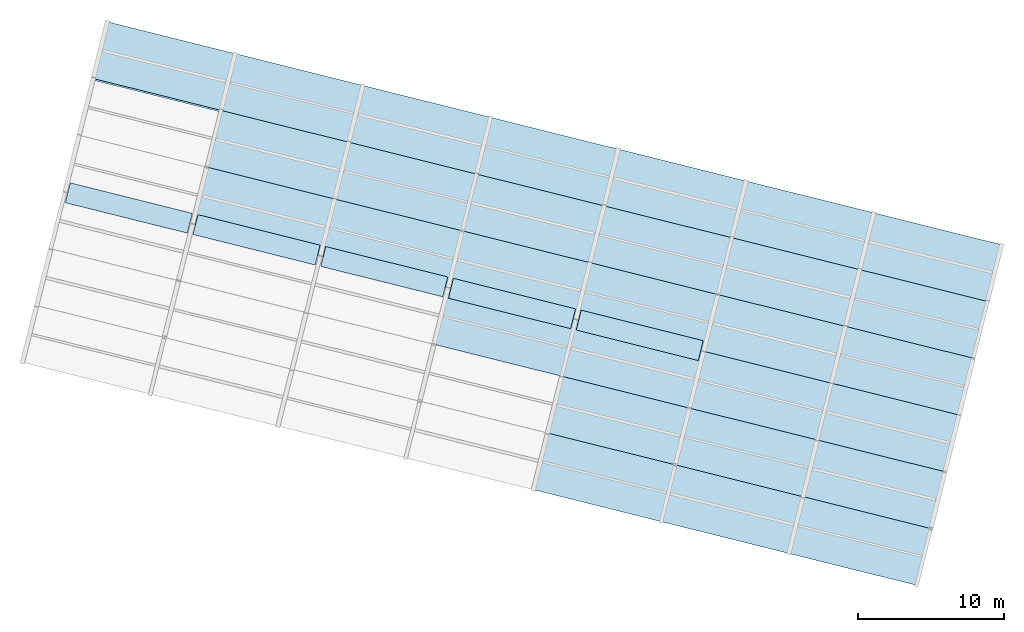
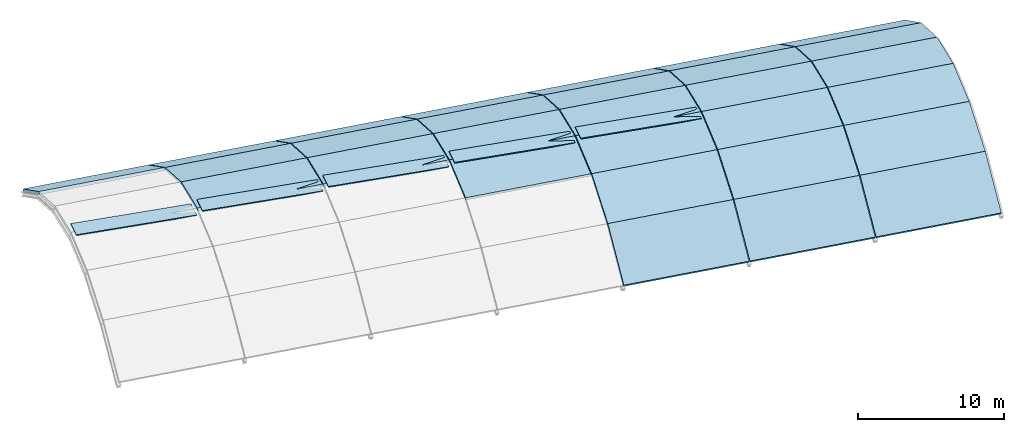
# One storey, part 3 of 3: 29 slabs, 5 roofs.
"""IFC4 building model written with IfcOpenShell, lengths in metres."""

from ifc_helpers import new_model, si_unit, direction, frame, origin, origin_2d, place, context, subcontext, project, spatial, polyline, rectangle, outline, extrude, material, layer, layer_set, type_object, element, save


model = new_model("IFC4")

# Units and contexts
model_context = context("Model", 3, precision=1e-05, world=origin(), true_north=direction((0.0, 1.0)))
body_context = subcontext(model_context, "Body", "Model", "MODEL_VIEW")
ifc_project = project(units=[si_unit("LENGTHUNIT", "METRE"), si_unit("AREAUNIT", "SQUARE_METRE"), si_unit("VOLUMEUNIT", "CUBIC_METRE"), si_unit("PLANEANGLEUNIT", "RADIAN"), si_unit("MASSUNIT", "GRAM", prefix="KILO")], contexts=[model_context])

# Site, building, storey
site_placement = place(None, origin())
site = spatial("IfcSite", under=ifc_project, at=site_placement, CompositionType="ELEMENT")
building_placement = place(site_placement, origin())
building = spatial("IfcBuilding", under=site, at=building_placement, Name="Vireo Bluff Cable Station", CompositionType="ELEMENT")
storey_placement = place(building_placement, frame((0.0, 0.0, 28.800048828125)))
storey = spatial("IfcBuildingStorey", under=building, at=storey_placement, Name="Roof", CompositionType="ELEMENT", Elevation=28.800048828125)

# Slabs
ifc_material = material(Name="Concrete f'c 50 MPa", Category="concrete")
ifc_layer_1 = layer(ifc_material, 0.219970703125, Name="Concrete f'c 50 MPa")
ifc_layer_set_1 = layer_set([ifc_layer_1], Name="Concrete f'c 50 MPa")
slab_type = type_object("IfcSlabType", Name="ROOFSLAB-220-1", PredefinedType="ROOF", material=ifc_layer_set_1)
slab_1_placement = place(storey_placement, frame((58.867431640625, 57.398681640625, -2.126953125), z_axis=(0.100939677652, 0.516472067093, 0.850333925813), x_axis=(0.969805926747, -0.241803233938, 0.031743668706)))
element("IfcSlab", 1, at=slab_1_placement, inside=storey, type_object=slab_type, Name="V1 barrel shell facet 1.6", PredefinedType="ROOF", context=body_context, shape_type="SweptSolid", body=[
    extrude(outline(polyline([(0.0, 0.0), (8.944635527202268, -3.885780586188048e-16), (8.866248880325182, 4.701597592801001), (-0.07838664687708628, 4.701597592801001), (0.0, 0.0)])), origin(), (0.0, 0.0, -1.0), 0.219970703125),
])
slab_2_placement = place(storey_placement, frame((65.664794921875, 47.458984375, 0.13671875), z_axis=(-0.000889435561, 0.126606405837, 0.991952633398), x_axis=(0.969806753183, -0.241801509155, 0.031731556079)))
element("IfcSlab", 2, at=slab_2_placement, inside=storey, type_object=slab_type, Name="V1 barrel shell facet 2.4", PredefinedType="ROOF", context=body_context, shape_type="SweptSolid", body=[
    extrude(outline(polyline([(0.0, 0.0), (8.944627779567814, 2.636779683484747e-16), (8.928740906828127, 4.030525580376811), (-0.015598816903197279, 4.030380172944357), (0.0, 0.0)])), origin(), (0.0, 0.0, -1.0), 0.219970703125),
])
slab_3_placement = place(storey_placement, frame((66.632568359375, 51.340087890625, -0.35791015625), z_axis=(0.055203306571, 0.344402915072, 0.93719753896), x_axis=(0.969809780144, -0.241789699657, 0.031729032089)))
element("IfcSlab", 3, at=slab_3_placement, inside=storey, type_object=slab_type, Name="V1 barrel shell facet 2.5", PredefinedType="ROOF", context=body_context, shape_type="SweptSolid", body=[
    extrude(outline(polyline([(0.0, 0.0), (8.94433972470428, -4.579669976578771e-16), (8.89741821934946, 4.265890200137352), (-0.04720955966334356, 4.265968878507189), (0.0, 0.0)])), origin(), (0.0, 0.0, -1.0), 0.219970703125),
])
slab_4_placement = place(storey_placement, frame((67.60009765625, 55.221435546875, -1.841064453125), z_axis=(0.100955876177, 0.516487555426, 0.850322595346), x_axis=(0.96980793828, -0.241797449721, 0.031726269219)))
element("IfcSlab", 4, at=slab_4_placement, inside=storey, type_object=slab_type, Name="V1 barrel shell facet 2.6", PredefinedType="ROOF", context=body_context, shape_type="SweptSolid", body=[
    extrude(outline(polyline([(0.0, 0.0), (8.944627780009386, -4.163336342344337e-16), (8.866308543442221, 4.7015987150596), (-0.07832698223836052, 4.701726963254099), (0.0, 0.0)])), origin(), (0.0, 0.0, -1.0), 0.219970703125),
])
slab_5_placement = place(storey_placement, frame((74.3974609375, 45.28173828125, 0.42236328125), z_axis=(-0.000881008317, 0.126577557374, 0.991956322523), x_axis=(0.969806766647, -0.241803441832, 0.031716413459)))
element("IfcSlab", 5, at=slab_5_placement, inside=storey, type_object=slab_type, Name="V1 barrel shell facet 3.4", PredefinedType="ROOF", context=body_context, shape_type="SweptSolid", body=[
    extrude(outline(polyline([(0.0, 0.0), (8.94462778061166, 1.457167719820518e-16), (8.928799939829926, 4.0302907110091235), (-0.01559107155159506, 4.030350250325305), (0.0, 0.0)])), origin(), (0.0, 0.0, -1.0), 0.219970703125),
])
slab_6_placement = place(storey_placement, frame((75.365234375, 49.162841796875, -0.072021484375), z_axis=(0.055222114465, 0.344424278161, 0.937188580109), x_axis=(0.969805444458, -0.241807965616, 0.031722352768)))
element("IfcSlab", 6, at=slab_6_placement, inside=storey, type_object=slab_type, Name="V1 barrel shell facet 3.5", PredefinedType="ROOF", context=body_context, shape_type="SweptSolid", body=[
    extrude(outline(polyline([(0.0, 0.0), (8.944391011446644, -1.249000902703301e-16), (8.897345291000606, 4.266110954627542), (-0.047223454205519995, 4.26583149065672), (0.0, 0.0)])), origin(), (0.0, 0.0, -1.0), 0.219970703125),
])
slab_7_placement = place(storey_placement, frame((76.332763671875, 53.0439453125, -1.555419921875), z_axis=(0.100952434045, 0.516457365464, 0.850341340709), x_axis=(0.969812455511, -0.241781384482, 0.031710617379)))
element("IfcSlab", 7, at=slab_7_placement, inside=storey, type_object=slab_type, Name="V1 barrel shell facet 3.6", PredefinedType="ROOF", context=body_context, shape_type="SweptSolid", body=[
    extrude(outline(polyline([(0.0, 0.0), (8.944568749482775, 4.163336342344337e-16), (8.866354929402299, 4.701600470628557), (-0.07827284873879704, 4.701801024915579), (0.0, 0.0)])), origin(), (0.0, 0.0, -1.0), 0.219970703125),
])
slab_8_placement = place(storey_placement, frame((82.162353515625, 39.22314453125, 0.213623046875), z_axis=(-0.060220808184, -0.111368781631, 0.991952846026), x_axis=(0.969812260366, -0.241779421286, 0.03173154718)))
element("IfcSlab", 8, at=slab_8_placement, inside=storey, type_object=slab_type, Name="V1 barrel shell facet 4.3", PredefinedType="ROOF", context=body_context, shape_type="SweptSolid", body=[
    extrude(outline(polyline([(0.0, 0.0), (8.944568748690958, 1.8735013540549517e-16), (8.960451672151416, 4.030379063416773), (0.01581614832167219, 4.030584471612378), (0.0, 0.0)])), origin(), (0.0, 0.0, -1.0), 0.219970703125),
])
slab_9_placement = place(storey_placement, frame((83.130126953125, 43.1044921875, 0.7080078125), z_axis=(-0.000886823043, 0.126609683553, 0.991952217385), x_axis=(0.969805938831, -0.241804946405, 0.031730252171)))
element("IfcSlab", 9, at=slab_9_placement, inside=storey, type_object=slab_type, Name="V1 barrel shell facet 4.4", PredefinedType="ROOF", context=body_context, shape_type="SweptSolid", body=[
    extrude(outline(polyline([(0.0, 0.0), (8.94463552638412, -7.008282842946301e-16), (8.928786456970757, 4.030320581116207), (-0.015604553741728693, 4.030350196332303), (0.0, 0.0)])), origin(), (0.0, 0.0, -1.0), 0.219970703125),
])
slab_10_placement = place(storey_placement, frame((84.097900390625, 46.985595703125, 0.213623046875), z_axis=(0.055203306571, 0.344402915072, 0.93719753896), x_axis=(0.969806150554, -0.241803560843, 0.031734339613)))
element("IfcSlab", 10, at=slab_10_placement, inside=storey, type_object=slab_type, Name="V1 barrel shell facet 4.5", PredefinedType="ROOF", context=body_context, shape_type="SweptSolid", body=[
    extrude(outline(polyline([(0.0, 0.0), (8.944391010091099, 1.3877787807814457e-16), (8.89735303581609, 4.2660261515482745), (-0.04722345692376837, 4.265831487784386), (0.0, 0.0)])), origin(), (0.0, 0.0, -1.0), 0.219970703125),
])
slab_11_placement = place(storey_placement, frame((85.0654296875, 50.86669921875, -1.269775390625), z_axis=(0.10094603748, 0.516478148118, 0.85032947734), x_axis=(0.969810444287, -0.241787169035, 0.031728016685)))
element("IfcSlab", 11, at=slab_11_placement, inside=storey, type_object=slab_type, Name="V1 barrel shell facet 4.6", PredefinedType="ROOF", context=body_context, shape_type="SweptSolid", body=[
    extrude(outline(polyline([(0.0, 0.0), (8.944576494790557, 5.551115123125783e-17), (8.866287517749669, 4.701727594421813), (-0.07834026101362998, 4.701799899654168), (0.0, 0.0)])), origin(), (0.0, 0.0, -1.0), 0.219970703125),
])
slab_12_placement = place(storey_placement, frame((88.959716796875, 29.283447265625, -3.456298828125), z_axis=(-0.15334134841, -0.503397879878, 0.850339347203), x_axis=(0.969810952776, -0.241782046786, 0.031751499617)))
element("IfcSlab", 12, at=slab_12_placement, inside=storey, type_object=slab_type, Name="V1 barrel shell facet 5.1", PredefinedType="ROOF", context=body_context, shape_type="SweptSolid", body=[
    extrude(outline(polyline([(0.0, 0.0), (8.944576495987416, 8.326672684688674e-17), (9.023010893745532, 4.701546548088515), (0.07861213919024312, 4.701795364099379), (0.0, 0.0)])), origin(), (0.0, 0.0, -1.0), 0.219970703125),
])
slab_13_placement = place(storey_placement, frame((89.927490234375, 33.164794921875, -0.984130859375), z_axis=(-0.112966026449, -0.330036571103, 0.937184367455), x_axis=(0.969804477458, -0.241809125931, 0.031743064119)))
element("IfcSlab", 13, at=slab_13_placement, inside=storey, type_object=slab_type, Name="V1 barrel shell facet 5.2", PredefinedType="ROOF", context=body_context, shape_type="SweptSolid", body=[
    extrude(outline(polyline([(0.0, 0.0), (8.944398758364725, -1.1102230246251565e-16), (8.99155113417174, 4.265887657096743), (0.04691560713575901, 4.265834887721574), (0.0, 0.0)])), origin(), (0.0, 0.0, -1.0), 0.219970703125),
])
slab_14_placement = place(storey_placement, frame((90.89501953125, 37.0458984375, 0.499267578125), z_axis=(-0.060226824967, -0.111336498063, 0.991956104751), x_axis=(0.96980601826, -0.241803064769, 0.031742161484)))
element("IfcSlab", 14, at=slab_14_placement, inside=storey, type_object=slab_type, Name="V1 barrel shell facet 5.3", PredefinedType="ROOF", context=body_context, shape_type="SweptSolid", body=[
    extrude(outline(polyline([(0.0, 0.0), (8.944635527191943, -2.3592239273284576e-16), (8.960359113542927, 4.030584835993105), (0.015782620302344896, 4.030349504760234), (0.0, 0.0)])), origin(), (0.0, 0.0, -1.0), 0.219970703125),
])
slab_15_placement = place(storey_placement, frame((91.86279296875, 40.927001953125, 0.99365234375), z_axis=(-0.000909904007, 0.126580725657, 0.991955892148), x_axis=(0.969812328665, -0.241777752023, 0.031742176918)))
element("IfcSlab", 15, at=slab_15_placement, inside=storey, type_object=slab_type, Name="V1 barrel shell facet 5.4", PredefinedType="ROOF", context=body_context, shape_type="SweptSolid", body=[
    extrude(outline(polyline([(0.0, 0.0), (8.944576496333529, 1.734723475976807e-16), (8.928841004714283, 4.030291072597414), (-0.015557748802680963, 4.030585479518686), (0.0, 0.0)])), origin(), (0.0, 0.0, -1.0), 0.219970703125),
])
slab_16_placement = place(storey_placement, frame((92.83056640625, 44.808349609375, 0.499267578125), z_axis=(0.055204151399, 0.344438058548, 0.937184573866), x_axis=(0.969804344886, -0.241809375253, 0.031745215082)))
element("IfcSlab", 16, at=slab_16_placement, inside=storey, type_object=slab_type, Name="V1 barrel shell facet 5.5", PredefinedType="ROOF", context=body_context, shape_type="SweptSolid", body=[
    extrude(outline(polyline([(0.0, 0.0), (8.944398758372817, 2.7755575615628914e-17), (8.897371624067233, 4.265889039613939), (-0.04726390294447423, 4.26583104296439), (0.0, 0.0)])), origin(), (0.0, 0.0, -1.0), 0.219970703125),
])
slab_17_placement = place(storey_placement, frame((93.798095703125, 48.689453125, -0.984130859375), z_axis=(0.100929839081, 0.516462659744, 0.850340807367), x_axis=(0.969806638158, -0.241799593744, 0.031749662191)))
element("IfcSlab", 17, at=slab_17_placement, inside=storey, type_object=slab_type, Name="V1 barrel shell facet 5.6", PredefinedType="ROOF", context=body_context, shape_type="SweptSolid", body=[
    extrude(outline(polyline([(0.0, 0.0), (8.944635526980088, -2.498001805406602e-16), (8.866189846552754, 4.701798144536736), (-0.0783866473233937, 4.70159759237087), (0.0, 0.0)])), origin(), (0.0, 0.0, -1.0), 0.219970703125),
])
slab_18_placement = place(storey_placement, frame((97.6923828125, 27.106201171875, -3.17041015625), z_axis=(-0.153323074838, -0.503391215223, 0.850346587668), x_axis=(0.969806445839, -0.241804496676, 0.031718180841)))
element("IfcSlab", 18, at=slab_18_placement, inside=storey, type_object=slab_type, Name="V1 barrel shell facet 6.1", PredefinedType="ROOF", context=body_context, shape_type="SweptSolid", body=[
    extrude(outline(polyline([(0.0, 0.0), (8.94462778059208, -8.326672684688674e-17), (9.022829283497119, 4.701751967011382), (0.07843827205685405, 4.701798268518958), (0.0, 0.0)])), origin(), (0.0, 0.0, -1.0), 0.219970703125),
])
slab_19_placement = place(storey_placement, frame((98.66015625, 30.987548828125, -0.6982421875), z_axis=(-0.112947856192, -0.330015321419, 0.937194040426), x_axis=(0.969803872752, -0.241813556566, 0.031727783659)))
element("IfcSlab", 19, at=slab_19_placement, inside=storey, type_object=slab_type, Name="V1 barrel shell facet 6.2", PredefinedType="ROOF", context=body_context, shape_type="SweptSolid", body=[
    extrude(outline(polyline([(0.0, 0.0), (8.944391011013769, -3.608224830031759e-16), (8.991502938837037, 4.265888102826648), (0.04686741325871376, 4.265750525182855), (0.0, 0.0)])), origin(), (0.0, 0.0, -1.0), 0.219970703125),
])
slab_20_placement = place(storey_placement, frame((99.627685546875, 34.86865234375, 0.784912109375), z_axis=(-0.060223077916, -0.111371659756, 0.991952385092), x_axis=(0.969806742106, -0.241801726267, 0.031730240161)))
element("IfcSlab", 20, at=slab_20_placement, inside=storey, type_object=slab_type, Name="V1 barrel shell facet 6.3", PredefinedType="ROOF", context=body_context, shape_type="SweptSolid", body=[
    extrude(outline(polyline([(0.0, 0.0), (8.944635526382653, -3.3306690738754696e-16), (8.960418148346305, 4.03034950295766), (0.015790368604314882, 4.0303794275257045), (0.0, 0.0)])), origin(), (0.0, 0.0, -1.0), 0.219970703125),
])
slab_21_placement = place(storey_placement, frame((100.595458984375, 38.749755859375, 1.279541015625), z_axis=(-0.00088869335, 0.12660230572, 0.991953157367), x_axis=(0.969806754706, -0.24180172796, 0.031729842147)))
element("IfcSlab", 21, at=slab_21_placement, inside=storey, type_object=slab_type, Name="V1 barrel shell facet 6.4", PredefinedType="ROOF", context=body_context, shape_type="SweptSolid", body=[
    extrude(outline(polyline([(0.0, 0.0), (8.944627779790576, 7.632783294297951e-17), (8.928740906605764, 4.03052558086941), (-0.015657850501081257, 4.0306150432576775), (0.0, 0.0)])), origin(), (0.0, 0.0, -1.0), 0.219970703125),
])
slab_22_placement = place(storey_placement, frame((101.563232421875, 42.631103515625, 0.784912109375), z_axis=(0.055210218357, 0.344410765905, 0.937194246737), x_axis=(0.969803638797, -0.241813780459, 0.031733227959)))
element("IfcSlab", 22, at=slab_22_placement, inside=storey, type_object=slab_type, Name="V1 barrel shell facet 6.5", PredefinedType="ROOF", context=body_context, shape_type="SweptSolid", body=[
    extrude(outline(polyline([(0.0, 0.0), (8.944398757727377, -6.938893903907228e-17), (8.897371624709278, 4.265889038274824), (-0.04725615411449647, 4.265746236235074), (0.0, 0.0)])), origin(), (0.0, 0.0, -1.0), 0.219970703125),
])
slab_23_placement = place(storey_placement, frame((102.53076171875, 46.51220703125, -0.6982421875), z_axis=(0.100962272316, 0.516466772672, 0.850334459078), x_axis=(0.969806766658, -0.241803443354, 0.031716401533)))
element("IfcSlab", 23, at=slab_23_placement, inside=storey, type_object=slab_type, Name="V1 barrel shell facet 6.6", PredefinedType="ROOF", context=body_context, shape_type="SweptSolid", body=[
    extrude(outline(polyline([(0.0, 0.0), (8.944627780611661, 1.6653345369377348e-16), (8.86630854284522, 4.701598716185431), (-0.07831923776644231, 4.701598716185431), (0.0, 0.0)])), origin(), (0.0, 0.0, -1.0), 0.219970703125),
])
slab_24_placement = place(storey_placement, frame((106.425048828125, 24.928955078125, -2.884765625), z_axis=(-0.153334316991, -0.503419160144, 0.850328016963), x_axis=(0.96980571987, -0.241806880195, 0.03172220671)))
element("IfcSlab", 24, at=slab_24_placement, inside=storey, type_object=slab_type, Name="V1 barrel shell facet 7.1", PredefinedType="ROOF", context=body_context, shape_type="SweptSolid", body=[
    extrude(outline(polyline([(0.0, 0.0), (8.944627780403216, 2.7755575615628914e-16), (9.022837026949723, 4.701880210894217), (0.07849730572457334, 4.701595746159581), (0.0, 0.0)])), origin(), (0.0, 0.0, -1.0), 0.219970703125),
])
slab_25_placement = place(storey_placement, frame((107.392822265625, 28.81005859375, -0.41259765625), z_axis=(-0.112941457932, -0.330007838764, 0.937197446344), x_axis=(0.969811814034, -0.241780691782, 0.031735507564)))
element("IfcSlab", 25, at=slab_25_placement, inside=storey, type_object=slab_type, Name="V1 barrel shell facet 7.2", PredefinedType="ROOF", context=body_context, shape_type="SweptSolid", body=[
    extrude(outline(polyline([(0.0, 0.0), (8.944339725525165, 1.6653345369377348e-16), (8.991590600040768, 4.265801676214685), (0.04696282349064109, 4.266056490348956), (0.0, 0.0)])), origin(), (0.0, 0.0, -1.0), 0.219970703125),
])
slab_26_placement = place(storey_placement, frame((108.3603515625, 32.69140625, 1.07080078125), z_axis=(-0.060223077916, -0.111371659756, 0.991952385092), x_axis=(0.969805951477, -0.241804951071, 0.031729830095)))
element("IfcSlab", 26, at=slab_26_placement, inside=storey, type_object=slab_type, Name="V1 barrel shell facet 7.3", PredefinedType="ROOF", context=body_context, shape_type="SweptSolid", body=[
    extrude(outline(polyline([(0.0, 0.0), (8.944627779792047, 2.706168622523819e-16), (8.960404664619597, 4.030379480330385), (0.015769138287000474, 4.030349555736423), (0.0, 0.0)])), origin(), (0.0, 0.0, -1.0), 0.219970703125),
])
slab_27_placement = place(storey_placement, frame((109.328125, 36.572509765625, 1.565185546875), z_axis=(-0.000889435561, 0.126606405837, 0.991952633398), x_axis=(0.969805937308, -0.241804727596, 0.031731966128)))
element("IfcSlab", 27, at=slab_27_placement, inside=storey, type_object=slab_type, Name="V1 barrel shell facet 7.4", PredefinedType="ROOF", context=body_context, shape_type="SweptSolid", body=[
    extrude(outline(polyline([(0.0, 0.0), (8.944635526579804, -2.5673907444456745e-16), (8.928727422782758, 4.030555451173577), (-0.015604553350017848, 4.030350196768107), (0.0, 0.0)])), origin(), (0.0, 0.0, -1.0), 0.219970703125),
])
slab_28_placement = place(storey_placement, frame((110.2958984375, 40.45361328125, 1.07080078125), z_axis=(0.055203306571, 0.344402915072, 0.93719753896), x_axis=(0.96981203219, -0.241781098763, 0.031725738767)))
element("IfcSlab", 28, at=slab_28_placement, inside=storey, type_object=slab_type, Name="V1 barrel shell facet 7.5", PredefinedType="ROOF", context=body_context, shape_type="SweptSolid", body=[
    extrude(outline(polyline([(0.0, 0.0), (8.944331978760571, -1.3877787807814457e-16), (8.897458664686384, 4.2658058417884845), (-0.047176858720114026, 4.26605412894756), (0.0, 0.0)])), origin(), (0.0, 0.0, -1.0), 0.219970703125),
])
slab_29_placement = place(storey_placement, frame((111.263427734375, 44.3349609375, -0.41259765625), z_axis=(0.100955876177, 0.516487555426, 0.850322595346), x_axis=(0.969804755257, -0.241809227599, 0.031733801033)))
element("IfcSlab", 29, at=slab_29_placement, inside=storey, type_object=slab_type, Name="V1 barrel shell facet 7.6", PredefinedType="ROOF", context=body_context, shape_type="SweptSolid", body=[
    extrude(outline(polyline([(0.0, 0.0), (8.944635526599992, -1.1102230246251565e-16), (8.866241131003061, 4.701725839718451), (-0.07838664808691463, 4.701597591635022), (0.0, 0.0)])), origin(), (0.0, 0.0, -1.0), 0.219970703125),
])

# Roofs
ifc_layer_2 = layer(ifc_material, 0.080078125, Name="Concrete f'c 50 MPa")
ifc_layer_set_2 = layer_set([ifc_layer_2], Name="Concrete f'c 50 MPa")
roof_type = type_object("IfcRoofType", Name="ROOF-BARREL-01", PredefinedType="BARREL_ROOF", material=ifc_layer_set_2)
for number, where, z_axis, x_axis, name in (
    (30, (61.269287109375, 48.554931640625, -0.00732421875), (0.0, 0.0, 1.0), (0.970295726276, -0.2419218956, 0.0), "V1 thin concrete barrel shell assembly bay 1"),
    (31, (70.001953125, 46.377685546875, 0.278564453125), (0.0, 0.0, 1.0), (0.970295726276, -0.2419218956, 0.0), "V1 thin concrete barrel shell assembly bay 2"),
    (32, (78.734619140625, 44.2001953125, 0.564208984375), (0.0, 0.0, 1.0), (0.970295726276, -0.2419218956, 0.0), "V1 thin concrete barrel shell assembly bay 3"),
    (33, (87.46728515625, 42.02294921875, 0.849853515625), (0.0, 0.0, 1.0), (0.970295726276, -0.2419218956, 0.0), "V1 thin concrete barrel shell assembly bay 4"),
    (34, (96.199951171875, 39.845703125, 1.1357421875), (0.0, 0.0, 1.0), (0.970295726276, -0.2419218956, 0.0), "V1 thin concrete barrel shell assembly bay 5"),
):
    element("IfcRoof", number, at=place(storey_placement, frame(where, z_axis=z_axis, x_axis=x_axis)), inside=storey, type_object=roof_type, Name=name, PredefinedType="BARREL_ROOF", context=body_context, shape_type="SweptSolid", body=[
        extrude(rectangle(XDim=8.60009765625, YDim=1.39990234375, at=origin_2d()), origin(), (0.0, 0.0, 1.0), 0.080078125),
    ])

save(model, "model.ifc")
